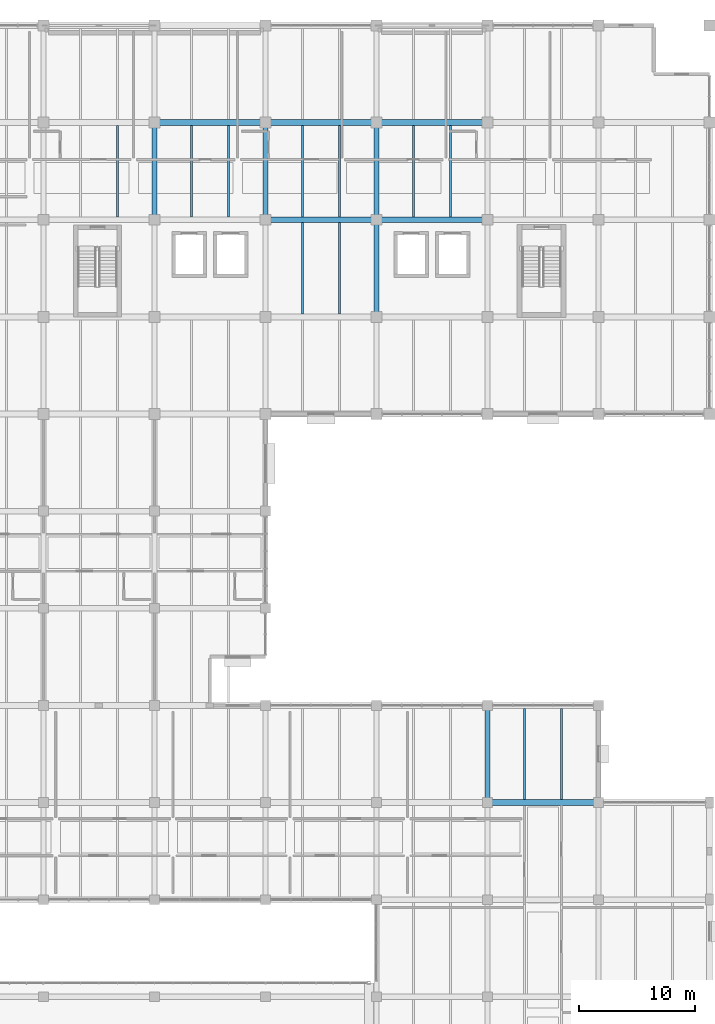
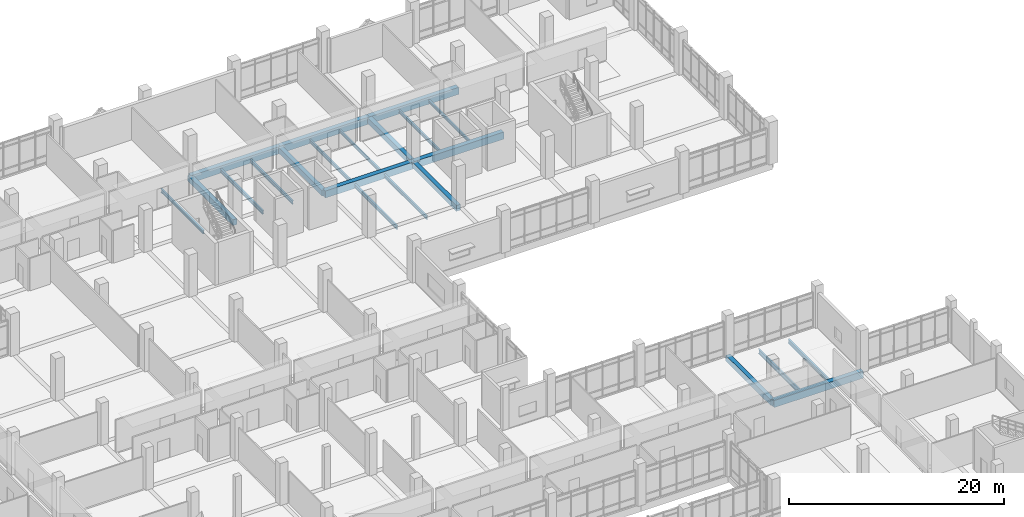
# One storey, part 73 of 152: 22 beams.
"""IFC4 building model written with IfcOpenShell, lengths in metres."""

from ifc_helpers import new_model, si_unit, direction, frame, origin, origin_2d, place, context, subcontext, project, spatial, rectangle, i_section, extrude, material, material_profile, profile_set, type_object, element, save


model = new_model("IFC4")

# Units and contexts
model_context = context("Model", 3, precision=1e-05, world=origin(), true_north=direction((0.0, 1.0)))
body_context = subcontext(model_context, "Body", "Model", "MODEL_VIEW")
ifc_project = project(units=[si_unit("LENGTHUNIT", "METRE"), si_unit("AREAUNIT", "SQUARE_METRE"), si_unit("VOLUMEUNIT", "CUBIC_METRE"), si_unit("PLANEANGLEUNIT", "RADIAN"), si_unit("MASSUNIT", "GRAM", prefix="KILO")], contexts=[model_context])

# Site, building, storey
site_placement = place(None, origin())
site = spatial("IfcSite", under=ifc_project, at=site_placement, CompositionType="ELEMENT")
building_placement = place(site_placement, origin())
building = spatial("IfcBuilding", under=site, at=building_placement, Name="Oolite Switchyard Hospital", CompositionType="ELEMENT")
storey_placement = place(building_placement, frame((0.0, 0.0, 5.10009765625)))
storey = spatial("IfcBuildingStorey", under=building, at=storey_placement, Name="L01", CompositionType="ELEMENT", Elevation=5.10009765625)

# Beams
ifc_material_1 = material(Name="Concrete C40/50", Category="concrete")
ifc_material_profile_1 = material_profile(ifc_material_1, rectangle(XDim=0.449951171875, YDim=0.64990234375, at=origin_2d()), Name="RCB450X650")
ifc_profile_set_1 = profile_set([ifc_material_profile_1], Name="Concrete C40/50")
beam_type_1 = type_object("IfcBeamType", Name="BM-RC450X650", PredefinedType="BEAM", material=ifc_profile_set_1)
for number, where, z_axis, x_axis, name in (
    (1, (163.199951171875, 117.60009765625, -0.3251953125), (0.0, 1.0, 0.0), (-1.0, 0.0, 0.0), "L01 Y-Girder 497"),
    (2, (172.800048828125, 117.60009765625, -0.3251953125), (0.0, 1.0, 0.0), (-1.0, 0.0, 0.0), "L01 Y-Girder 507"),
):
    element("IfcBeam", number, at=place(storey_placement, frame(where, z_axis=z_axis, x_axis=x_axis)), inside=storey, type_object=beam_type_1, Name=name, PredefinedType="BEAM", context=body_context, shape_type="SweptSolid", body=[
        extrude(rectangle(XDim=0.449951171875, YDim=0.64990234375, at=origin_2d()), origin(), (0.0, 0.0, 1.0), 8.39990234375),
    ])
beam_1_placement = place(storey_placement, frame((182.39990234375, 109.199951171875, -0.3251953125), z_axis=(0.0, 1.0, 0.0), x_axis=(-1.0, 0.0, 0.0)))
element("IfcBeam", 3, at=beam_1_placement, inside=storey, type_object=beam_type_1, Name="L01 Y-Girder 520", PredefinedType="BEAM", context=body_context, shape_type="SweptSolid", body=[
    extrude(rectangle(XDim=0.449951171875, YDim=0.64990234375, at=origin_2d()), origin(), (0.0, 0.0, 1.0), 8.400146484375),
])
beam_2_placement = place(storey_placement, frame((182.39990234375, 117.60009765625, -0.3251953125), z_axis=(0.0, 1.0, 0.0), x_axis=(-1.0, 0.0, 0.0)))
element("IfcBeam", 4, at=beam_2_placement, inside=storey, type_object=beam_type_1, Name="L01 Y-Girder 521", PredefinedType="BEAM", context=body_context, shape_type="SweptSolid", body=[
    extrude(rectangle(XDim=0.449951171875, YDim=0.64990234375, at=origin_2d()), origin(), (0.0, 0.0, 1.0), 8.39990234375),
])
beam_3_placement = place(storey_placement, frame((192.0, 67.199951171875, -0.3251953125), z_axis=(0.0, 1.0, 0.0), x_axis=(-1.0, 0.0, 0.0)))
element("IfcBeam", 5, at=beam_3_placement, inside=storey, type_object=beam_type_1, Name="L01 Y-Girder 530", PredefinedType="BEAM", context=body_context, shape_type="SweptSolid", body=[
    extrude(rectangle(XDim=0.449951171875, YDim=0.64990234375, at=origin_2d()), origin(), (0.0, 0.0, 1.0), 8.400146484375),
])
ifc_material_profile_2 = material_profile(ifc_material_1, rectangle(XDim=0.5, YDim=0.800048828125, at=origin_2d()), Name="RCB500X800")
ifc_profile_set_2 = profile_set([ifc_material_profile_2], Name="Concrete C40/50")
beam_type_2 = type_object("IfcBeamType", Name="BM-RC500X800", PredefinedType="BEAM", material=ifc_profile_set_2)
beam_4_placement = place(storey_placement, frame((192.0, 67.199951171875, -0.400146484375), z_axis=(1.0, 0.0, 0.0), x_axis=(0.0, 1.0, 0.0)))
element("IfcBeam", 6, at=beam_4_placement, inside=storey, type_object=beam_type_2, Name="L01 X-Girder 142", PredefinedType="BEAM", context=body_context, shape_type="SweptSolid", body=[
    extrude(rectangle(XDim=0.5, YDim=0.800048828125, at=origin_2d()), origin(), (0.0, 0.0, 1.0), 9.60009765625),
])
beam_5_placement = place(storey_placement, frame((172.800048828125, 117.60009765625, -0.400146484375), z_axis=(1.0, 0.0, 0.0), x_axis=(0.0, 1.0, 0.0)))
element("IfcBeam", 7, at=beam_5_placement, inside=storey, type_object=beam_type_2, Name="L01 X-Girder 251", PredefinedType="BEAM", context=body_context, shape_type="SweptSolid", body=[
    extrude(rectangle(XDim=0.5, YDim=0.800048828125, at=origin_2d()), origin(), (0.0, 0.0, 1.0), 9.599853515625),
])
for number, where, z_axis, x_axis, name in (
    (8, (182.39990234375, 117.60009765625, -0.400146484375), (1.0, 0.0, 0.0), (0.0, 1.0, 0.0), "L01 X-Girder 252"),
    (9, (163.199951171875, 126.0, -0.400146484375), (1.0, 0.0, 0.0), (0.0, 1.0, 0.0), "L01 X-Girder 266"),
):
    element("IfcBeam", number, at=place(storey_placement, frame(where, z_axis=z_axis, x_axis=x_axis)), inside=storey, type_object=beam_type_2, Name=name, PredefinedType="BEAM", context=body_context, shape_type="SweptSolid", body=[
        extrude(rectangle(XDim=0.5, YDim=0.800048828125, at=origin_2d()), origin(), (0.0, 0.0, 1.0), 9.60009765625),
    ])
beam_6_placement = place(storey_placement, frame((172.800048828125, 126.0, -0.400146484375), z_axis=(1.0, 0.0, 0.0), x_axis=(0.0, 1.0, 0.0)))
element("IfcBeam", 10, at=beam_6_placement, inside=storey, type_object=beam_type_2, Name="L01 X-Girder 267", PredefinedType="BEAM", context=body_context, shape_type="SweptSolid", body=[
    extrude(rectangle(XDim=0.5, YDim=0.800048828125, at=origin_2d()), origin(), (0.0, 0.0, 1.0), 9.599853515625),
])
beam_7_placement = place(storey_placement, frame((182.39990234375, 126.0, -0.400146484375), z_axis=(1.0, 0.0, 0.0), x_axis=(0.0, 1.0, 0.0)))
element("IfcBeam", 11, at=beam_7_placement, inside=storey, type_object=beam_type_2, Name="L01 X-Girder 268", PredefinedType="BEAM", context=body_context, shape_type="SweptSolid", body=[
    extrude(rectangle(XDim=0.5, YDim=0.800048828125, at=origin_2d()), origin(), (0.0, 0.0, 1.0), 9.60009765625),
])
ifc_material_2 = material(Name="Steel ASTM A992 Grade 50", Category="steel")
ifc_material_profile_3 = material_profile(ifc_material_2, i_section(OverallWidth=0.1650390625, OverallDepth=0.31005859375, WebThickness=0.006103515625, FlangeThickness=0.010009765625, at=origin_2d()), Name="W12X26")
ifc_profile_set_3 = profile_set([ifc_material_profile_3], Name="Steel ASTM A992 Grade 50")
beam_type_3 = type_object("IfcBeamType", Name="BM-W12X26", PredefinedType="JOIST", material=ifc_profile_set_3)
beam_8_placement = place(storey_placement, frame((188.800048828125, 117.85009765625, -0.43017578125), z_axis=(0.0, 1.0, 0.0), x_axis=(-1.0, 0.0, 0.0)))
element("IfcBeam", 12, at=beam_8_placement, inside=storey, type_object=beam_type_3, Name="L01 Secondary Steel Joist 947", PredefinedType="JOIST", context=body_context, shape_type="SweptSolid", body=[
    extrude(i_section(OverallWidth=0.1650390625, OverallDepth=0.31005859375, WebThickness=0.006103515625, FlangeThickness=0.010009765625, at=origin_2d()), origin(), (0.0, 0.0, 1.0), 7.89990234375),
])
ifc_material_profile_4 = material_profile(ifc_material_2, i_section(OverallWidth=0.1708984375, OverallDepth=0.35107421875, WebThickness=0.007080078125, FlangeThickness=0.010009765625, at=origin_2d()), Name="W14X30")
ifc_profile_set_4 = profile_set([ifc_material_profile_4], Name="Steel ASTM A992 Grade 50")
beam_type_4 = type_object("IfcBeamType", Name="BM-W14X30", PredefinedType="JOIST", material=ifc_profile_set_4)
for number, where, z_axis, x_axis, name in (
    (13, (179.199951171875, 117.85009765625, -0.4501953125), (0.0, 1.0, 0.0), (-1.0, 0.0, 0.0), "L01 Secondary Steel Joist 925"),
    (14, (185.60009765625, 117.85009765625, -0.4501953125), (0.0, 1.0, 0.0), (-1.0, 0.0, 0.0), "L01 Secondary Steel Joist 946"),
):
    element("IfcBeam", number, at=place(storey_placement, frame(where, z_axis=z_axis, x_axis=x_axis)), inside=storey, type_object=beam_type_4, Name=name, PredefinedType="JOIST", context=body_context, shape_type="SweptSolid", body=[
        extrude(i_section(OverallWidth=0.1708984375, OverallDepth=0.35107421875, WebThickness=0.007080078125, FlangeThickness=0.010009765625, at=origin_2d()), origin(), (0.0, 0.0, 1.0), 7.89990234375),
    ])
ifc_material_profile_5 = material_profile(ifc_material_2, i_section(OverallWidth=0.177978515625, OverallDepth=0.403076171875, WebThickness=0.008056640625, FlangeThickness=0.010986328125, at=origin_2d()), Name="W16X36")
ifc_profile_set_5 = profile_set([ifc_material_profile_5], Name="Steel ASTM A992 Grade 50")
beam_type_5 = type_object("IfcBeamType", Name="BM-W16X36", PredefinedType="JOIST", material=ifc_profile_set_5)
beam_9_placement = place(storey_placement, frame((169.60009765625, 117.85009765625, -0.47705078125), z_axis=(0.0, 1.0, 0.0), x_axis=(-1.0, 0.0, 0.0)))
element("IfcBeam", 15, at=beam_9_placement, inside=storey, type_object=beam_type_5, Name="L01 Secondary Steel Joist 909", PredefinedType="JOIST", context=body_context, shape_type="SweptSolid", body=[
    extrude(i_section(OverallWidth=0.177978515625, OverallDepth=0.403076171875, WebThickness=0.008056640625, FlangeThickness=0.010986328125, at=origin_2d()), origin(), (0.0, 0.0, 1.0), 7.89990234375),
])
beam_10_placement = place(storey_placement, frame((179.199951171875, 109.449951171875, -0.47705078125), z_axis=(0.0, 1.0, 0.0), x_axis=(-1.0, 0.0, 0.0)))
element("IfcBeam", 16, at=beam_10_placement, inside=storey, type_object=beam_type_5, Name="L01 Secondary Steel Joist 923", PredefinedType="JOIST", context=body_context, shape_type="SweptSolid", body=[
    extrude(i_section(OverallWidth=0.177978515625, OverallDepth=0.403076171875, WebThickness=0.008056640625, FlangeThickness=0.010986328125, at=origin_2d()), origin(), (0.0, 0.0, 1.0), 7.900146484375),
])
beam_11_placement = place(storey_placement, frame((176.0, 117.85009765625, -0.47705078125), z_axis=(0.0, 1.0, 0.0), x_axis=(-1.0, 0.0, 0.0)))
element("IfcBeam", 17, at=beam_11_placement, inside=storey, type_object=beam_type_5, Name="L01 Secondary Steel Joist 924", PredefinedType="JOIST", context=body_context, shape_type="SweptSolid", body=[
    extrude(i_section(OverallWidth=0.177978515625, OverallDepth=0.403076171875, WebThickness=0.008056640625, FlangeThickness=0.010986328125, at=origin_2d()), origin(), (0.0, 0.0, 1.0), 7.89990234375),
])
ifc_material_profile_6 = material_profile(ifc_material_2, i_section(OverallWidth=0.179931640625, OverallDepth=0.4130859375, WebThickness=0.010009765625, FlangeThickness=0.01611328125, at=origin_2d()), Name="W16X50")
ifc_profile_set_6 = profile_set([ifc_material_profile_6], Name="Steel ASTM A992 Grade 50")
beam_type_6 = type_object("IfcBeamType", Name="BM-W16X50", PredefinedType="JOIST", material=ifc_profile_set_6)
for number, where, z_axis, x_axis, name in (
    (18, (160.0, 117.85009765625, -0.482177734375), (0.0, 1.0, 0.0), (-1.0, 0.0, 0.0), "L01 Secondary Steel Joist 889"),
    (19, (166.39990234375, 117.85009765625, -0.482177734375), (0.0, 1.0, 0.0), (-1.0, 0.0, 0.0), "L01 Secondary Steel Joist 908"),
):
    element("IfcBeam", number, at=place(storey_placement, frame(where, z_axis=z_axis, x_axis=x_axis)), inside=storey, type_object=beam_type_6, Name=name, PredefinedType="JOIST", context=body_context, shape_type="SweptSolid", body=[
        extrude(i_section(OverallWidth=0.179931640625, OverallDepth=0.4130859375, WebThickness=0.010009765625, FlangeThickness=0.01611328125, at=origin_2d()), origin(), (0.0, 0.0, 1.0), 7.89990234375),
    ])
beam_12_placement = place(storey_placement, frame((176.0, 109.449951171875, -0.482177734375), z_axis=(0.0, 1.0, 0.0), x_axis=(-1.0, 0.0, 0.0)))
element("IfcBeam", 20, at=beam_12_placement, inside=storey, type_object=beam_type_6, Name="L01 Secondary Steel Joist 922", PredefinedType="JOIST", context=body_context, shape_type="SweptSolid", body=[
    extrude(i_section(OverallWidth=0.179931640625, OverallDepth=0.4130859375, WebThickness=0.010009765625, FlangeThickness=0.01611328125, at=origin_2d()), origin(), (0.0, 0.0, 1.0), 7.900146484375),
])
ifc_material_profile_7 = material_profile(ifc_material_2, i_section(OverallWidth=0.19091796875, OverallDepth=0.4599609375, WebThickness=0.010009765625, FlangeThickness=0.01611328125, at=origin_2d()), Name="W18X55")
ifc_profile_set_7 = profile_set([ifc_material_profile_7], Name="Steel ASTM A992 Grade 50")
beam_type_7 = type_object("IfcBeamType", Name="BM-W18X55", PredefinedType="JOIST", material=ifc_profile_set_7)
beam_13_placement = place(storey_placement, frame((198.39990234375, 67.449951171875, -0.505126953125), z_axis=(0.0, 1.0, 0.0), x_axis=(-1.0, 0.0, 0.0)))
element("IfcBeam", 21, at=beam_13_placement, inside=storey, type_object=beam_type_7, Name="L01 Secondary Steel Joist 965", PredefinedType="JOIST", context=body_context, shape_type="SweptSolid", body=[
    extrude(i_section(OverallWidth=0.19091796875, OverallDepth=0.4599609375, WebThickness=0.010009765625, FlangeThickness=0.01611328125, at=origin_2d()), origin(), (0.0, 0.0, 1.0), 7.900146484375),
])
ifc_material_profile_8 = material_profile(ifc_material_2, i_section(OverallWidth=0.166015625, OverallDepth=0.529052734375, WebThickness=0.010009765625, FlangeThickness=0.013916015625, at=origin_2d()), Name="W21X50")
ifc_profile_set_8 = profile_set([ifc_material_profile_8], Name="Steel ASTM A992 Grade 50")
beam_type_8 = type_object("IfcBeamType", Name="BM-W21X50", PredefinedType="JOIST", material=ifc_profile_set_8)
beam_14_placement = place(storey_placement, frame((195.199951171875, 67.449951171875, -0.5400390625), z_axis=(0.0, 1.0, 0.0), x_axis=(-1.0, 0.0, 0.0)))
element("IfcBeam", 22, at=beam_14_placement, inside=storey, type_object=beam_type_8, Name="L01 Secondary Steel Joist 964", PredefinedType="JOIST", context=body_context, shape_type="SweptSolid", body=[
    extrude(i_section(OverallWidth=0.166015625, OverallDepth=0.529052734375, WebThickness=0.010009765625, FlangeThickness=0.013916015625, at=origin_2d()), origin(), (0.0, 0.0, 1.0), 7.900146484375),
])

save(model, "model.ifc")
